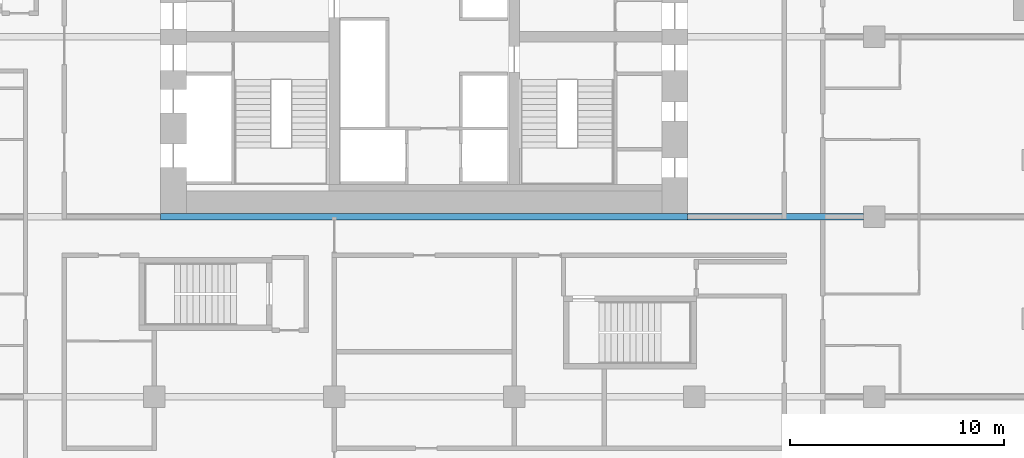
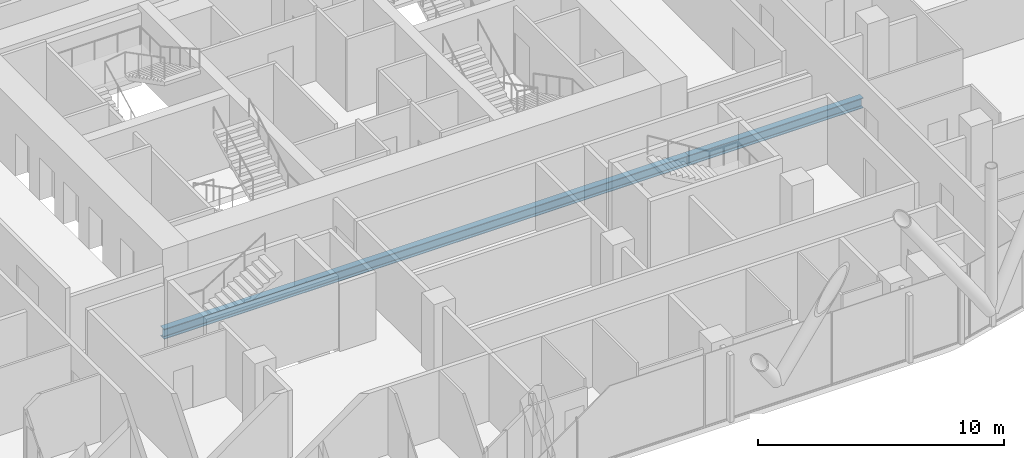
# One storey, part 7 of 34: 2 beams.
"""IFC4 building model written with IfcOpenShell, lengths in metres."""

from ifc_helpers import new_model, si_unit, direction, frame, origin, origin_2d, place, context, subcontext, project, spatial, i_section, extrude, material, material_profile, profile_set, type_object, element, save


model = new_model("IFC4")

# Units and contexts
model_context = context("Model", 3, precision=1e-05, world=origin(), true_north=direction((0.0, 1.0)))
body_context = subcontext(model_context, "Body", "Model", "MODEL_VIEW")
ifc_project = project(units=[si_unit("LENGTHUNIT", "METRE"), si_unit("AREAUNIT", "SQUARE_METRE"), si_unit("VOLUMEUNIT", "CUBIC_METRE"), si_unit("PLANEANGLEUNIT", "RADIAN"), si_unit("MASSUNIT", "GRAM", prefix="KILO")], contexts=[model_context])

# Site, building, storey
site_placement = place(None, origin())
site = spatial("IfcSite", under=ifc_project, at=site_placement, CompositionType="ELEMENT")
building_placement = place(site_placement, origin())
building = spatial("IfcBuilding", under=site, at=building_placement, Name="Marenta Gate Hotel Tower", CompositionType="ELEMENT")
storey_placement = place(building_placement, frame((0.0, 0.0, 47.300048828125)))
storey = spatial("IfcBuildingStorey", under=building, at=storey_placement, Name="L09", CompositionType="ELEMENT", Elevation=47.300048828125)

# Beams
ifc_material = material(Name="Steel S355", Category="steel")
ifc_material_profile = material_profile(ifc_material, i_section(OverallWidth=0.300048828125, OverallDepth=0.5, WebThickness=0.014404296875, FlangeThickness=0.028076171875, FilletRadius=0.027099609375, at=origin_2d()), Name="HEB 500")
ifc_profile_set = profile_set([ifc_material_profile], Name="Steel S355")
beam_type = type_object("IfcBeamType", Name="Girder HEB 500", PredefinedType="BEAM", material=ifc_profile_set)
beam_1_placement = place(storey_placement, frame((-12.300048828125, 0.0, -0.510009765625), z_axis=(1.0, 0.0, 0.0), x_axis=(0.0, 1.0, 0.0)))
element("IfcBeam", 1, at=beam_1_placement, inside=storey, type_object=beam_type, Name="L09-GD-10", PredefinedType="BEAM", context=body_context, shape_type="SweptSolid", body=[
    extrude(i_section(OverallWidth=0.300048828125, OverallDepth=0.5, WebThickness=0.014404296875, FlangeThickness=0.028076171875, FilletRadius=0.027099609375, at=origin_2d()), origin(), (0.0, 0.0, 1.0), 24.60009765625),
])
beam_2_placement = place(storey_placement, frame((12.300048828125, 0.0, -0.510009765625), z_axis=(1.0, 0.0, 0.0), x_axis=(0.0, 1.0, 0.0)))
element("IfcBeam", 2, at=beam_2_placement, inside=storey, type_object=beam_type, Name="L09-GD-11", PredefinedType="BEAM", context=body_context, shape_type="SweptSolid", body=[
    extrude(i_section(OverallWidth=0.300048828125, OverallDepth=0.5, WebThickness=0.014404296875, FlangeThickness=0.028076171875, FilletRadius=0.027099609375, at=origin_2d()), origin(), (0.0, 0.0, 1.0), 8.199951171875),
])

save(model, "model.ifc")
